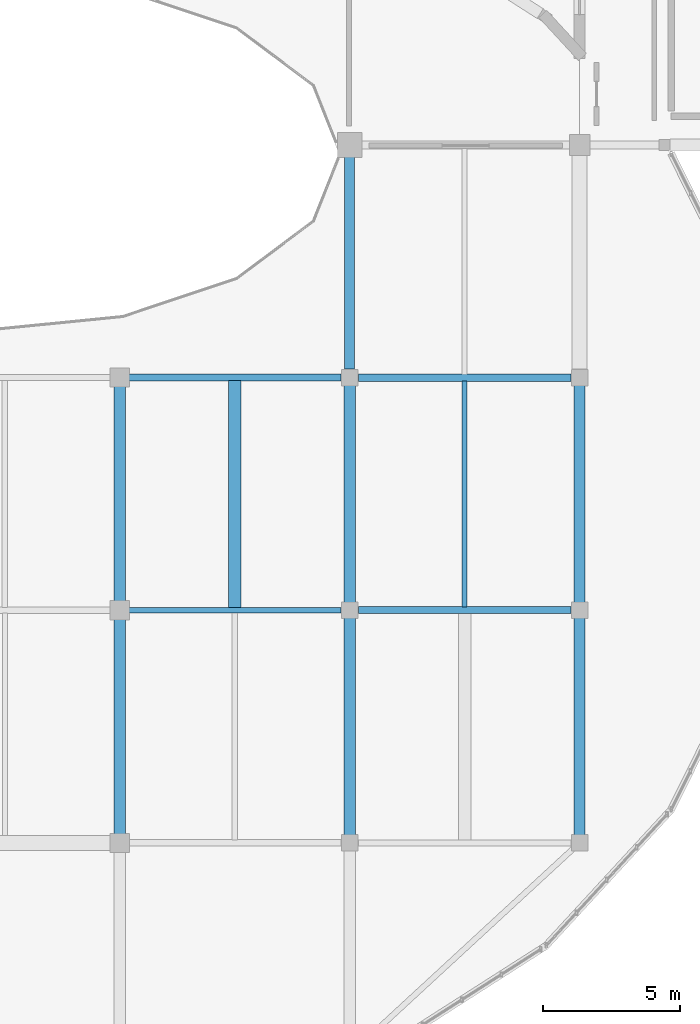
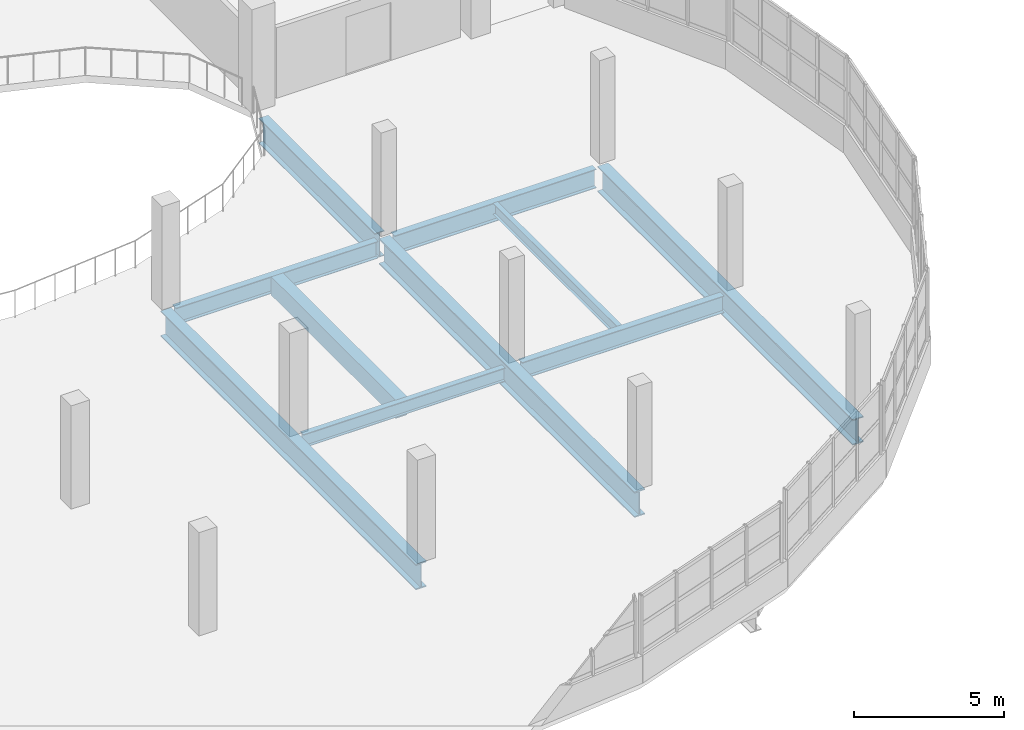
# One storey, part 22 of 52: 10 beams.
"""IFC4 building model written with IfcOpenShell, lengths in metres."""

import ifcopenshell
import ifcopenshell.guid

model = None  # the IFC model being written
_history = None  # IfcOwnerHistory: only IFC2X3 demands one
_inside = {}  # id of a spatial element -> (the spatial element, [elements in it])
_under = {}  # id of a project, library or spatial element -> (it, [spatial elements below it])
_declared = {}  # id of a project -> (the project, [libraries it declares])
_typed = {}  # id of a type object -> (the type object, [elements of that type])
_made_of = {}  # id of a material, layer set ... -> (it, [elements and type objects made of it])


def new_model(schema):
    """Start an empty IFC model of exactly this schema.

    Asked for "IFC4X3", IfcOpenShell would pick the latest addendum, in which some entities
    have other attributes; the version numbers below select the first issue.
    IFC2X3 requires an IfcOwnerHistory on every rooted entity: one is made here for all.
    """
    global model, _history
    if schema == "IFC4X3":
        model = ifcopenshell.file(schema_version=(4, 3, 0, 0))
    else:
        model = ifcopenshell.file(schema=schema)
    _inside.clear()
    _under.clear()
    _declared.clear()
    _typed.clear()
    _made_of.clear()
    _history = None
    if model.schema == "IFC2X3":
        org = make("IfcOrganization", Name="unknown")
        user = make(
            "IfcPersonAndOrganization",
            ThePerson=make("IfcPerson", FamilyName="unknown"),
            TheOrganization=org,
        )
        app = make(
            "IfcApplication",
            ApplicationDeveloper=org,
            Version="unknown",
            ApplicationFullName="unknown",
            ApplicationIdentifier="unknown",
        )
        _history = make(
            "IfcOwnerHistory",
            OwningUser=user,
            OwningApplication=app,
            ChangeAction="ADDED",
            CreationDate=0,
        )
    return model


def make(cls, **values):
    """One entity of the class cls with the attributes given. An attribute that is None is left unset."""
    return model.create_entity(
        cls, **{name: value for name, value in values.items() if value is not None}
    )


def rooted(cls, **values):
    """An entity with a GlobalId (a new one), such as an element, a storey or a relation."""
    return make(cls, GlobalId=ifcopenshell.guid.new(), OwnerHistory=_history, **values)


def si_unit(unit_type, name, prefix=None):
    """IfcSIUnit, for example si_unit("LENGTHUNIT", "METRE", prefix="MILLI")."""
    return make("IfcSIUnit", UnitType=unit_type, Prefix=prefix, Name=name)


def assignment(units):
    """IfcUnitAssignment: the units of a project."""
    return None if units is None else make("IfcUnitAssignment", Units=units)


def point(xyz):
    """IfcCartesianPoint."""
    return None if xyz is None else make("IfcCartesianPoint", Coordinates=xyz)


def direction(xyz):
    """IfcDirection."""
    return None if xyz is None else make("IfcDirection", DirectionRatios=xyz)


def frame(location, z_axis=None, x_axis=None):
    """IfcAxis2Placement3D, a coordinate frame: its origin and axes. An axis left out is left unset."""
    return make(
        "IfcAxis2Placement3D",
        Location=point(location),
        Axis=direction(z_axis),
        RefDirection=direction(x_axis),
    )


def frame_2d(location, x_axis=None):
    """IfcAxis2Placement2D, a coordinate frame in the plane: its origin and x axis."""
    return make(
        "IfcAxis2Placement2D", Location=point(location), RefDirection=direction(x_axis)
    )


def origin():
    """The frame at (0, 0, 0) with its axes left unset."""
    return frame((0.0, 0.0, 0.0))


def origin_2d():
    """The frame at (0, 0) in the plane with its x axis left unset."""
    return frame_2d((0.0, 0.0))


def place(relative_to, where):
    """IfcLocalPlacement: puts the frame where relative to a parent placement (None: the world)."""
    return make(
        "IfcLocalPlacement", PlacementRelTo=relative_to, RelativePlacement=where
    )


def context(
    kind, dimensions, precision=None, world=None, true_north=None, identifier=None
):
    """IfcGeometricRepresentationContext, for example the 3D "Model" context."""
    return make(
        "IfcGeometricRepresentationContext",
        ContextIdentifier=identifier,
        ContextType=kind,
        CoordinateSpaceDimension=dimensions,
        Precision=precision,
        WorldCoordinateSystem=world,
        TrueNorth=true_north,
    )


def subcontext(parent, identifier, kind, view, scale=None):
    """IfcGeometricRepresentationSubContext, for example "Body" below "Model"."""
    return make(
        "IfcGeometricRepresentationSubContext",
        ContextIdentifier=identifier,
        ContextType=kind,
        ParentContext=parent,
        TargetScale=scale,
        TargetView=view,
    )


def project(units=None, contexts=None):
    """IfcProject with its units and contexts."""
    return rooted(
        "IfcProject",
        Name="project",
        RepresentationContexts=contexts,
        UnitsInContext=assignment(units),
    )


def spatial(cls, under=None, at=None, **own):
    """A site, building, storey or space (cls), placed at a placement, below another one or the project."""
    s = rooted(cls, ObjectPlacement=at, **own)
    if under is not None:
        _under.setdefault(under.id(), (under, []))[1].append(s)
    return s


def profile(cls, at=None, kind="AREA", **sizes):
    """A parametric profile (cls). Its sizes go by their IFC names, for example OverallWidth=200.0."""
    return make(cls, ProfileType=kind, Position=at, **sizes)


def rectangle(**sizes):
    """IfcRectangleProfileDef."""
    return profile("IfcRectangleProfileDef", **sizes)


def i_section(**sizes):
    """IfcIShapeProfileDef."""
    return profile("IfcIShapeProfileDef", **sizes)


def extrude(swept, where, along, depth):
    """IfcExtrudedAreaSolid: the profile swept, set in the frame where, extruded along a direction by depth."""
    return make(
        "IfcExtrudedAreaSolid",
        SweptArea=swept,
        Position=where,
        ExtrudedDirection=direction(along),
        Depth=depth,
    )


def shape(context_of_items, identifier, shape_type, items):
    """IfcShapeRepresentation: the items that make up one representation, for example the "Body"."""
    return make(
        "IfcShapeRepresentation",
        ContextOfItems=context_of_items,
        RepresentationIdentifier=identifier,
        RepresentationType=shape_type,
        Items=items,
    )


def material(Name=None, Category=None):
    """IfcMaterial."""
    return make("IfcMaterial", Name=Name, Category=Category)


def material_profile(
    of_material, cross_section, Name=None, Category=None, Priority=None
):
    """IfcMaterialProfile: a cross section and its material."""
    return make(
        "IfcMaterialProfile",
        Name=Name,
        Material=of_material,
        Profile=cross_section,
        Priority=Priority,
        Category=Category,
    )


def profile_set(profiles, Name=None, composite=None):
    """IfcMaterialProfileSet."""
    return make(
        "IfcMaterialProfileSet",
        Name=Name,
        MaterialProfiles=profiles,
        CompositeProfile=composite,
    )


def made_of(thing, what):
    """Note that an element or type object is made of a material, layer set ...; save() writes the relation."""
    if what is not None:
        _made_of.setdefault(what.id(), (what, []))[1].append(thing)
    return thing


def type_object(cls, material=None, **own):
    """A type object (cls), such as IfcWallType, which elements share."""
    return made_of(rooted(cls, **own), material)


def element(
    cls,
    number,
    at=None,
    inside=None,
    cuts=None,
    type_object=None,
    material=None,
    context=None,
    identifier="Body",
    shape_type=None,
    held_by="IfcProductDefinitionShape",
    body=None,
    shapes=None,
    **own,
):
    """One element of the class cls, such as IfcWall. Its Tag is "e" and its number.

    at: its placement. inside: the storey or other place that contains it. cuts: it is an
    opening in that element (IfcRelVoidsElement). A single representation is given by context,
    identifier, shape_type and body (its items); several are given by shapes. held_by: the class
    of the entity that holds the representations. save() writes the other relations.
    """
    e = rooted(cls, Tag="e%d" % number, ObjectPlacement=at, **own)
    if body is not None:
        shapes = [shape(context, identifier, shape_type, body)]
    if shapes is not None:
        e.Representation = make(held_by, Representations=shapes)
    if inside is not None:
        _inside.setdefault(inside.id(), (inside, []))[1].append(e)
    if cuts is not None:
        rooted(
            "IfcRelVoidsElement", RelatingBuildingElement=cuts, RelatedOpeningElement=e
        )
    if type_object is not None:
        _typed.setdefault(type_object.id(), (type_object, []))[1].append(e)
    return made_of(e, material)


def aggregate(whole, parts):
    """IfcRelAggregates: a whole, such as a stair, and the parts it consists of."""
    return rooted("IfcRelAggregates", RelatingObject=whole, RelatedObjects=parts)


def save(model, path):
    """Write the relations noted so far, then the file.

    IfcRelAggregates (storeys below a building ...), IfcRelContainedInSpatialStructure (elements
    in a storey), IfcRelDefinesByType, IfcRelAssociatesMaterial and IfcRelDeclares: one each for
    every whole, place, type object, material and project.
    """
    for whole, parts in _under.values():
        aggregate(whole, parts)
    for where, things in _inside.values():
        rooted(
            "IfcRelContainedInSpatialStructure",
            RelatedElements=things,
            RelatingStructure=where,
        )
    for kind, things in _typed.values():
        rooted("IfcRelDefinesByType", RelatedObjects=things, RelatingType=kind)
    for what, things in _made_of.values():
        rooted("IfcRelAssociatesMaterial", RelatedObjects=things, RelatingMaterial=what)
    for by, libraries in _declared.values():
        rooted("IfcRelDeclares", RelatingContext=by, RelatedDefinitions=libraries)
    model.write(path)


model = new_model("IFC4")

# Units and contexts
model_context = context("Model", 3, precision=1e-05, world=origin(), true_north=direction((0.0, 1.0)))
body_context = subcontext(model_context, "Body", "Model", "MODEL_VIEW")
ifc_project = project(units=[si_unit("LENGTHUNIT", "METRE"), si_unit("AREAUNIT", "SQUARE_METRE"), si_unit("VOLUMEUNIT", "CUBIC_METRE"), si_unit("PLANEANGLEUNIT", "RADIAN"), si_unit("MASSUNIT", "GRAM", prefix="KILO")], contexts=[model_context])

# Site, building, storey
site_placement = place(None, origin())
site = spatial("IfcSite", under=ifc_project, at=site_placement, CompositionType="ELEMENT")
building_placement = place(site_placement, origin())
building = spatial("IfcBuilding", under=site, at=building_placement, Name="Solvento Point Concert Hall", CompositionType="ELEMENT")
storey_placement = place(building_placement, frame((0.0, 0.0, 19.5)))
storey = spatial("IfcBuildingStorey", under=building, at=storey_placement, Name="L04", CompositionType="ELEMENT", Elevation=19.5)

# Beams
ifc_material_1 = material(Name="Concrete C35/45", Category="concrete")
ifc_material_profile_1 = material_profile(ifc_material_1, rectangle(XDim=0.449951171875, YDim=0.75, at=origin_2d()), Name="RC-BM-450X750")
ifc_profile_set_1 = profile_set([ifc_material_profile_1], Name="Concrete C35/45")
beam_type_1 = type_object("IfcBeamType", Name="Beam_RC_450x750", PredefinedType="BEAM", material=ifc_profile_set_1)
beam_1_placement = place(storey_placement, frame((70.199951171875, 25.592041015625, -0.6689453125), z_axis=(0.0, 1.0, 0.0), x_axis=(-1.0, 0.0, 0.0)))
element("IfcBeam", 1, at=beam_1_placement, inside=storey, type_object=beam_type_1, Name="Secondary floor joist B-28 L04", PredefinedType="BEAM", context=body_context, shape_type="SweptSolid", body=[
    extrude(rectangle(XDim=0.449951171875, YDim=0.75, at=origin_2d()), origin(), (0.0, 0.0, 1.0), 8.294921875),
])
ifc_material_2 = material(Name="Structural Steel ASTM A992 Grade 50", Category="steel")
ifc_material_profile_2 = material_profile(ifc_material_2, i_section(OverallWidth=0.214111328125, OverallDepth=0.549072265625, WebThickness=0.0146484375, FlangeThickness=0.023681640625, at=origin_2d()), Name="W21X93")
ifc_profile_set_2 = profile_set([ifc_material_profile_2], Name="Structural Steel ASTM A992 Grade 50")
beam_type_2 = type_object("IfcBeamType", Name="Beam_W21X93", PredefinedType="BEAM", material=ifc_profile_set_2)
beam_2_placement = place(storey_placement, frame((66.319091796875, 25.5, -0.568603515625), z_axis=(1.0, 0.0, 0.0), x_axis=(0.0, 1.0, 0.0)))
element("IfcBeam", 2, at=beam_2_placement, inside=storey, type_object=beam_type_2, Name="Primary girder B-48 L04", PredefinedType="BEAM", context=body_context, shape_type="SweptSolid", body=[
    extrude(i_section(OverallWidth=0.214111328125, OverallDepth=0.549072265625, WebThickness=0.0146484375, FlangeThickness=0.023681640625, at=origin_2d()), origin(), (0.0, 0.0, 1.0), 7.761962890625),
])
ifc_material_3 = material(Name="Structural Steel ASTM A992 Grade 50", Category="steel")
ifc_material_profile_3 = material_profile(ifc_material_3, i_section(OverallWidth=0.408935546875, OverallDepth=1.041015625, WebThickness=0.031005859375, FlangeThickness=0.04443359375, at=origin_2d()), Name="W40X397")
ifc_profile_set_3 = profile_set([ifc_material_profile_3], Name="Structural Steel ASTM A992 Grade 50")
beam_type_3 = type_object("IfcBeamType", Name="CantileverGirder_W40X397", PredefinedType="USERDEFINED", material=ifc_profile_set_3)
for number, where, z_axis, x_axis, name in (
    (3, (66.0, 34.0, -0.8154296875), (0.0, -1.0, 0.0), (1.0, 0.0, 0.0), "Radial back-span girder CG-01 L04"),
    (4, (74.39990234375, 34.0, -0.8154296875), (0.0, -1.0, 0.0), (1.0, 0.0, 0.0), "Radial back-span girder CG-01 L04"),
    (5, (82.800048828125, 34.0, -0.8154296875), (0.0, -1.0, 0.0), (1.0, 0.0, 0.0), "Radial back-span girder CG-01 L04"),
):
    element("IfcBeam", number, at=place(storey_placement, frame(where, z_axis=z_axis, x_axis=x_axis)), inside=storey, type_object=beam_type_3, Name=name, ObjectType="GIRDER", PredefinedType="USERDEFINED", context=body_context, shape_type="SweptSolid", body=[
        extrude(i_section(OverallWidth=0.408935546875, OverallDepth=1.041015625, WebThickness=0.031005859375, FlangeThickness=0.04443359375, at=origin_2d()), origin(), (0.0, 0.0, 1.0), 17.0),
    ])
ifc_material_4 = material(Name="Structural Steel ASTM A992 Grade 50", Category="steel")
ifc_material_profile_4 = material_profile(ifc_material_4, i_section(OverallWidth=0.256103515625, OverallDepth=0.693115234375, WebThickness=0.014404296875, FlangeThickness=0.023681640625, at=origin_2d()), Name="W27X114")
ifc_profile_set_4 = profile_set([ifc_material_profile_4], Name="Structural Steel ASTM A992 Grade 50")
beam_type_4 = type_object("IfcBeamType", Name="Girder_W27X114", PredefinedType="USERDEFINED", material=ifc_profile_set_4)
for number, where, z_axis, x_axis, name in (
    (6, (74.718994140625, 25.5, -0.640380859375), (1.0, 0.0, 0.0), (0.0, 1.0, 0.0), "Primary girder B-23 L04"),
    (7, (66.319091796875, 34.0, -0.640380859375), (1.0, 0.0, 0.0), (0.0, 1.0, 0.0), "Primary girder B-23 L04"),
):
    element("IfcBeam", number, at=place(storey_placement, frame(where, z_axis=z_axis, x_axis=x_axis)), inside=storey, type_object=beam_type_4, Name=name, ObjectType="GIRDER", PredefinedType="USERDEFINED", context=body_context, shape_type="SweptSolid", body=[
        extrude(i_section(OverallWidth=0.256103515625, OverallDepth=0.693115234375, WebThickness=0.014404296875, FlangeThickness=0.023681640625, at=origin_2d()), origin(), (0.0, 0.0, 1.0), 7.761962890625),
    ])
ifc_material_5 = material(Name="Structural Steel ASTM A992 Grade 50", Category="steel")
ifc_material_profile_5 = material_profile(ifc_material_5, i_section(OverallWidth=0.26806640625, OverallDepth=0.77001953125, WebThickness=0.015625, FlangeThickness=0.025390625, at=origin_2d()), Name="W30X132")
ifc_profile_set_5 = profile_set([ifc_material_profile_5], Name="Structural Steel ASTM A992 Grade 50")
beam_type_5 = type_object("IfcBeamType", Name="Girder_W30X132", PredefinedType="USERDEFINED", material=ifc_profile_set_5)
beam_3_placement = place(storey_placement, frame((74.718994140625, 34.0, -0.678955078125), z_axis=(1.0, 0.0, 0.0), x_axis=(0.0, 1.0, 0.0)))
element("IfcBeam", 8, at=beam_3_placement, inside=storey, type_object=beam_type_5, Name="Primary girder B-68 L04", ObjectType="GIRDER", PredefinedType="USERDEFINED", context=body_context, shape_type="SweptSolid", body=[
    extrude(i_section(OverallWidth=0.26806640625, OverallDepth=0.77001953125, WebThickness=0.015625, FlangeThickness=0.025390625, at=origin_2d()), origin(), (0.0, 0.0, 1.0), 7.761962890625),
])
ifc_material_6 = material(Name="Structural Steel ASTM A992 Grade 50", Category="steel")
ifc_material_profile_6 = material_profile(ifc_material_6, i_section(OverallWidth=0.361083984375, OverallDepth=1.02587890625, WebThickness=0.01904296875, FlangeThickness=0.0361328125, at=origin_2d()), Name="W40X249")
ifc_profile_set_6 = profile_set([ifc_material_profile_6], Name="Structural Steel ASTM A992 Grade 50")
beam_type_6 = type_object("IfcBeamType", Name="Girder_W40X249", PredefinedType="USERDEFINED", material=ifc_profile_set_6)
beam_4_placement = place(storey_placement, frame((74.39990234375, 34.319091796875, -0.806884765625), z_axis=(0.0, 1.0, 0.0), x_axis=(-1.0, 0.0, 0.0)))
element("IfcBeam", 9, at=beam_4_placement, inside=storey, type_object=beam_type_6, Name="Primary girder B-29 L04", ObjectType="GIRDER", PredefinedType="USERDEFINED", context=body_context, shape_type="SweptSolid", body=[
    extrude(i_section(OverallWidth=0.361083984375, OverallDepth=1.02587890625, WebThickness=0.01904296875, FlangeThickness=0.0361328125, at=origin_2d()), origin(), (0.0, 0.0, 1.0), 7.73681640625),
])
ifc_material_7 = material(Name="Structural Steel ASTM A992 Grade 50", Category="steel")
ifc_material_profile_7 = material_profile(ifc_material_7, i_section(OverallWidth=0.1904296875, OverallDepth=0.45703125, WebThickness=0.009033203125, FlangeThickness=0.014404296875, at=origin_2d()), Name="W18X50")
ifc_profile_set_7 = profile_set([ifc_material_profile_7], Name="Structural Steel ASTM A992 Grade 50")
beam_type_7 = type_object("IfcBeamType", Name="Joist_W18X50", PredefinedType="JOIST", material=ifc_profile_set_7)
beam_5_placement = place(storey_placement, frame((78.60009765625, 25.613037109375, -0.5224609375), z_axis=(0.0, 1.0, 0.0), x_axis=(-1.0, 0.0, 0.0)))
element("IfcBeam", 10, at=beam_5_placement, inside=storey, type_object=beam_type_7, Name="Secondary floor joist B-66 L04", PredefinedType="JOIST", context=body_context, shape_type="SweptSolid", body=[
    extrude(i_section(OverallWidth=0.1904296875, OverallDepth=0.45703125, WebThickness=0.009033203125, FlangeThickness=0.014404296875, at=origin_2d()), origin(), (0.0, 0.0, 1.0), 8.26806640625),
])

save(model, "model.ifc")
